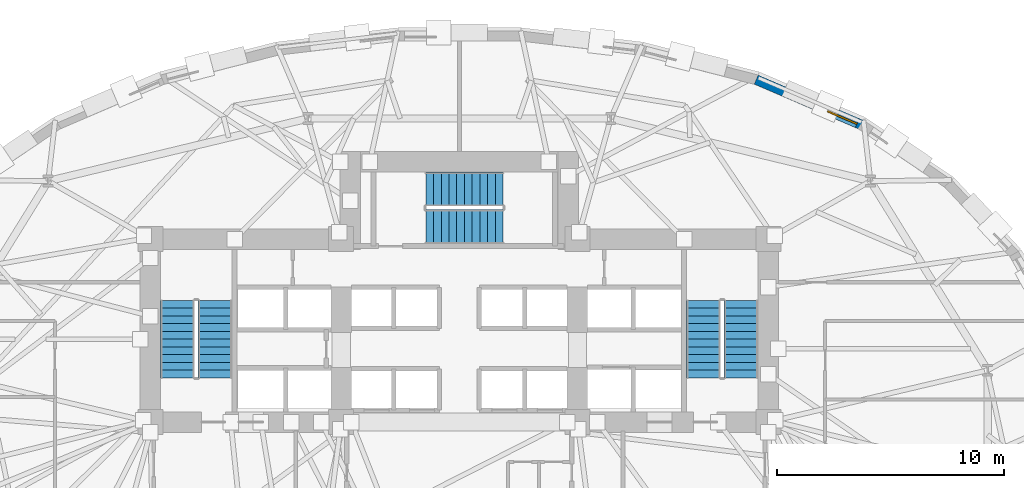
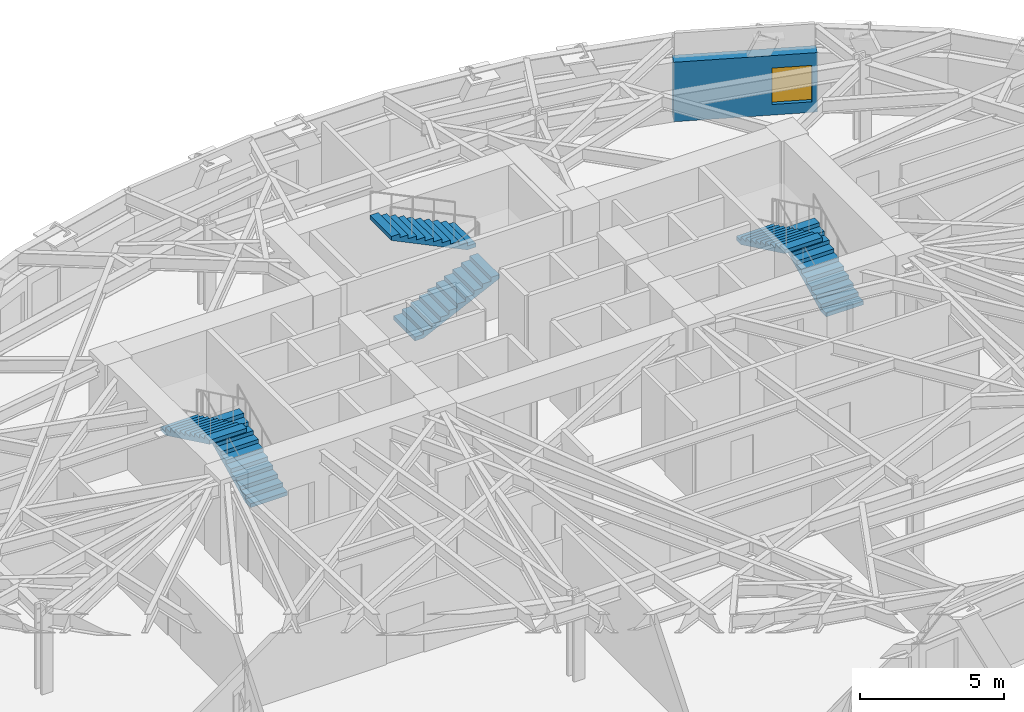
# One storey, part 10 of 14: 6 stair flights, 1 wall, 1 window, 1 opening, 3 elements without a shape of their own.
"""IFC4 building model written with IfcOpenShell, lengths in metres."""

from ifc_helpers import new_model, si_unit, direction, frame, frame_2d, origin, place, context, subcontext, project, spatial, polyline, rectangle, outline, extrude, material, layer, layer_set, type_object, element, fill, aggregate, save


model = new_model("IFC4")

# Units and contexts
model_context = context("Model", 3, precision=1e-05, world=origin(), true_north=direction((0.0, 1.0)))
body_context = subcontext(model_context, "Body", "Model", "MODEL_VIEW")
ifc_project = project(units=[si_unit("LENGTHUNIT", "METRE"), si_unit("AREAUNIT", "SQUARE_METRE"), si_unit("VOLUMEUNIT", "CUBIC_METRE"), si_unit("PLANEANGLEUNIT", "RADIAN"), si_unit("MASSUNIT", "GRAM", prefix="KILO")], contexts=[model_context])

# Site, building, storey
site_placement = place(None, origin())
site = spatial("IfcSite", under=ifc_project, at=site_placement, CompositionType="ELEMENT")
building_placement = place(site_placement, origin())
building = spatial("IfcBuilding", under=site, at=building_placement, Name="Keldmark Tower", CompositionType="ELEMENT")
storey_placement = place(building_placement, frame((0.0, 0.0, 41.39990234375)))
storey = spatial("IfcBuildingStorey", under=building, at=storey_placement, Name="L10", CompositionType="ELEMENT", Elevation=41.39990234375)

# Wall, opening, window
ifc_material_1 = material(Name="Ironspot Manganese Brick and Kasota Buff Limestone Spandrel Assembly", Category="masonry")
ifc_layer = layer(ifc_material_1, 0.43994140625)
ifc_layer_set = layer_set([ifc_layer], Name="Ironspot Manganese Brick and Kasota Buff Limestone Spandrel Assembly")
wall_type = type_object("IfcWallType", Name="Tower Brick Pier and Spandrel Wall 440 mm", PredefinedType="STANDARD", material=ifc_layer_set)
wall_placement = place(storey_placement, frame((13.066650390625, 16.47265625, 0.0), z_axis=(0.0, 0.0, 1.0), x_axis=(0.918881850071, -0.394532819433, 0.0)))
wall = element("IfcWall", 1, at=wall_placement, inside=storey, type_object=wall_type, Name="L10 Exterior Brick and Spandrel Wall 05", PredefinedType="STANDARD", context=body_context, shape_type="SweptSolid", body=[
    extrude(rectangle(XDim=5.0419921875, YDim=0.43994140625, at=frame_2d((2.52099609375, 0.0))), origin(), (0.0, 0.0, 1.0), 2.529052734375),
])
opening_placement = place(wall_placement, frame((3.44189453125, 0.0, 0.449951171875)))
opening = element("IfcOpeningElement", 2, at=opening_placement, cuts=wall, Name="Opening W-08", PredefinedType="OPENING", context=body_context, shape_type="SweptSolid", body=[
    extrude(rectangle(XDim=1.39990234375, YDim=1.550048828125, at=frame_2d((0.699951171875, 0.77490234375))), frame((0.0, 0.22998046875, 0.0), z_axis=(0.0, -1.0, 0.0), x_axis=(1.0, 0.0, 0.0)), (0.0, 0.0, 1.0), 0.4599609375),
])
ifc_material_2 = material(Name="Thermally Broken Anodized Aluminum and Triple Low-E Argon Glazing", Category="aluminium")
window_type = type_object("IfcWindowType", Name="Residential Corner Punched Window 1400x1550", PartitioningType="SINGLE_PANEL", PredefinedType="WINDOW", material=ifc_material_2)
window_placement = place(opening_placement, origin())
window = element("IfcWindow", 3, at=window_placement, inside=storey, type_object=window_type, Name="L10 Deep-Set Window 05", OverallHeight=1.550048828125, OverallWidth=1.39990234375, PartitioningType="SINGLE_PANEL", PredefinedType="WINDOW", context=body_context, shape_type="SweptSolid", body=[
    extrude(rectangle(XDim=1.39990234375, YDim=1.550048828125, at=frame_2d((0.699951171875, 0.77490234375))), frame((0.0, -0.010009765625, 0.0), z_axis=(0.0, -1.0, 0.0), x_axis=(1.0, 0.0, 0.0)), (0.0, 0.0, 1.0), 0.06005859375),
])
fill(opening, window)

# Stair, stair flights
ifc_material_3 = material(Name="Concrete C40/50", Category="concrete")
stair_type = type_object("IfcStairType", Name="Precast Concrete Core Exit Stair", PredefinedType="HALF_TURN_STAIR", material=ifc_material_3)
stair_1_placement = place(storey_placement, origin())
stair_1 = element("IfcStair", 4, at=stair_1_placement, inside=storey, type_object=stair_type, Name="L10 Exit Stair ST1", PredefinedType="HALF_TURN_STAIR")
ifc_material_4 = material(Name="Concrete C40/50", Category="concrete")
stair_flight_type = type_object("IfcStairFlightType", Name="Precast Concrete Stair Flight 1500 mm", PredefinedType="STRAIGHT", material=ifc_material_4)
stair_flight_1_placement = place(storey_placement, frame((-10.75, 3.35009765625, 0.0), z_axis=(0.0, 0.0, 1.0), x_axis=(0.0, 1.0, 0.0)))
stair_flight_1 = element("IfcStairFlight", 5, at=stair_flight_1_placement, type_object=stair_flight_type, Name="ST1 flight 1", NumberOfRisers=11, NumberOfTreads=10, PredefinedType="STRAIGHT", RiserHeight=0.163636364, TreadLength=0.34, context=body_context, shape_type="SweptSolid", body=[
    extrude(outline(polyline([(0.0, 0.0), (0.0, 0.16357421875), (0.340087890625, 0.16357421875), (0.340087890625, 0.327392578125), (0.679931640625, 0.327392578125), (0.679931640625, 0.490966796875), (1.02001953125, 0.490966796875), (1.02001953125, 0.654541015625), (1.360107421875, 0.654541015625), (1.360107421875, 0.818115234375), (1.699951171875, 0.818115234375), (1.699951171875, 0.98193359375), (2.0400390625, 0.98193359375), (2.0400390625, 1.1455078125), (2.3798828125, 1.1455078125), (2.3798828125, 1.30908203125), (2.719970703125, 1.30908203125), (2.719970703125, 1.47265625), (3.06005859375, 1.47265625), (3.06005859375, 1.636474609375), (3.39990234375, 1.636474609375), (3.39990234375, 1.800048828125), (3.39990234375, 1.469970703125), (0.345703125, 0.0), (0.0, 0.0)])), frame((0.0, 0.75, 0.0), z_axis=(0.0, -1.0, 0.0), x_axis=(1.0, 0.0, 0.0)), (0.0, 0.0, 1.0), 1.5),
])
stair_flight_2_placement = place(storey_placement, frame((-12.39990234375, 6.75, 1.800048828125), z_axis=(0.0, 0.0, 1.0), x_axis=(0.0, -1.0, 0.0)))
stair_flight_2 = element("IfcStairFlight", 6, at=stair_flight_2_placement, type_object=stair_flight_type, Name="ST1 flight 2", NumberOfRisers=11, NumberOfTreads=10, PredefinedType="STRAIGHT", RiserHeight=0.163636364, TreadLength=0.34, context=body_context, shape_type="SweptSolid", body=[
    extrude(outline(polyline([(0.0, 0.0), (0.0, 0.16357421875), (0.340087890625, 0.16357421875), (0.340087890625, 0.327392578125), (0.679931640625, 0.327392578125), (0.679931640625, 0.490966796875), (1.02001953125, 0.490966796875), (1.02001953125, 0.654541015625), (1.360107421875, 0.654541015625), (1.360107421875, 0.818115234375), (1.699951171875, 0.818115234375), (1.699951171875, 0.98193359375), (2.0400390625, 0.98193359375), (2.0400390625, 1.1455078125), (2.3798828125, 1.1455078125), (2.3798828125, 1.30908203125), (2.719970703125, 1.30908203125), (2.719970703125, 1.47265625), (3.06005859375, 1.47265625), (3.06005859375, 1.636474609375), (3.39990234375, 1.636474609375), (3.39990234375, 1.800048828125), (3.39990234375, 1.469970703125), (0.345703125, 0.0), (0.0, 0.0)])), frame((0.0, 0.75, 0.0), z_axis=(0.0, -1.0, 0.0), x_axis=(1.0, 0.0, 0.0)), (0.0, 0.0, 1.0), 1.5),
])
aggregate(stair_1, [stair_flight_1, stair_flight_2])

stair_2_placement = place(storey_placement, origin())
stair_2 = element("IfcStair", 7, at=stair_2_placement, inside=storey, type_object=stair_type, Name="L10 Exit Stair ST2", PredefinedType="HALF_TURN_STAIR")
stair_flight_3_placement = place(storey_placement, frame((12.39990234375, 3.35009765625, 0.0), z_axis=(0.0, 0.0, 1.0), x_axis=(0.0, 1.0, 0.0)))
stair_flight_3 = element("IfcStairFlight", 8, at=stair_flight_3_placement, type_object=stair_flight_type, Name="ST2 flight 1", NumberOfRisers=11, NumberOfTreads=10, PredefinedType="STRAIGHT", RiserHeight=0.163636364, TreadLength=0.34, context=body_context, shape_type="SweptSolid", body=[
    extrude(outline(polyline([(0.0, 0.0), (0.0, 0.16357421875), (0.340087890625, 0.16357421875), (0.340087890625, 0.327392578125), (0.679931640625, 0.327392578125), (0.679931640625, 0.490966796875), (1.02001953125, 0.490966796875), (1.02001953125, 0.654541015625), (1.360107421875, 0.654541015625), (1.360107421875, 0.818115234375), (1.699951171875, 0.818115234375), (1.699951171875, 0.98193359375), (2.0400390625, 0.98193359375), (2.0400390625, 1.1455078125), (2.3798828125, 1.1455078125), (2.3798828125, 1.30908203125), (2.719970703125, 1.30908203125), (2.719970703125, 1.47265625), (3.06005859375, 1.47265625), (3.06005859375, 1.636474609375), (3.39990234375, 1.636474609375), (3.39990234375, 1.800048828125), (3.39990234375, 1.469970703125), (0.345703125, 0.0), (0.0, 0.0)])), frame((0.0, 0.75, 0.0), z_axis=(0.0, -1.0, 0.0), x_axis=(1.0, 0.0, 0.0)), (0.0, 0.0, 1.0), 1.5),
])
stair_flight_4_placement = place(storey_placement, frame((10.75, 6.75, 1.800048828125), z_axis=(0.0, 0.0, 1.0), x_axis=(0.0, -1.0, 0.0)))
stair_flight_4 = element("IfcStairFlight", 9, at=stair_flight_4_placement, type_object=stair_flight_type, Name="ST2 flight 2", NumberOfRisers=11, NumberOfTreads=10, PredefinedType="STRAIGHT", RiserHeight=0.163636364, TreadLength=0.34, context=body_context, shape_type="SweptSolid", body=[
    extrude(outline(polyline([(0.0, 0.0), (0.0, 0.16357421875), (0.340087890625, 0.16357421875), (0.340087890625, 0.327392578125), (0.679931640625, 0.327392578125), (0.679931640625, 0.490966796875), (1.02001953125, 0.490966796875), (1.02001953125, 0.654541015625), (1.360107421875, 0.654541015625), (1.360107421875, 0.818115234375), (1.699951171875, 0.818115234375), (1.699951171875, 0.98193359375), (2.0400390625, 0.98193359375), (2.0400390625, 1.1455078125), (2.3798828125, 1.1455078125), (2.3798828125, 1.30908203125), (2.719970703125, 1.30908203125), (2.719970703125, 1.47265625), (3.06005859375, 1.47265625), (3.06005859375, 1.636474609375), (3.39990234375, 1.636474609375), (3.39990234375, 1.800048828125), (3.39990234375, 1.469970703125), (0.345703125, 0.0), (0.0, 0.0)])), frame((0.0, 0.75, 0.0), z_axis=(0.0, -1.0, 0.0), x_axis=(1.0, 0.0, 0.0)), (0.0, 0.0, 1.0), 1.5),
])
aggregate(stair_2, [stair_flight_3, stair_flight_4])

stair_3_placement = place(storey_placement, origin())
stair_3 = element("IfcStair", 10, at=stair_3_placement, inside=storey, type_object=stair_type, Name="L10 Exit Stair ST3", PredefinedType="HALF_TURN_STAIR")
stair_flight_5_placement = place(storey_placement, frame((-1.47509765625, 10.0, 0.0), z_axis=(0.0, 0.0, 1.0), x_axis=(1.0, 0.0, 0.0)))
stair_flight_5 = element("IfcStairFlight", 11, at=stair_flight_5_placement, type_object=stair_flight_type, Name="ST3 flight 1", NumberOfRisers=11, NumberOfTreads=10, PredefinedType="STRAIGHT", RiserHeight=0.163636364, TreadLength=0.34, context=body_context, shape_type="SweptSolid", body=[
    extrude(outline(polyline([(0.0, 0.0), (0.0, 0.16357421875), (0.340087890625, 0.16357421875), (0.340087890625, 0.327392578125), (0.679931640625, 0.327392578125), (0.679931640625, 0.490966796875), (1.02001953125, 0.490966796875), (1.02001953125, 0.654541015625), (1.360107421875, 0.654541015625), (1.360107421875, 0.818115234375), (1.699951171875, 0.818115234375), (1.699951171875, 0.98193359375), (2.0400390625, 0.98193359375), (2.0400390625, 1.1455078125), (2.3798828125, 1.1455078125), (2.3798828125, 1.30908203125), (2.719970703125, 1.30908203125), (2.719970703125, 1.47265625), (3.06005859375, 1.47265625), (3.06005859375, 1.636474609375), (3.39990234375, 1.636474609375), (3.39990234375, 1.800048828125), (3.39990234375, 1.469970703125), (0.345703125, 0.0), (0.0, 0.0)])), frame((0.0, 0.75, 0.0), z_axis=(0.0, -1.0, 0.0), x_axis=(1.0, 0.0, 0.0)), (0.0, 0.0, 1.0), 1.5),
])
stair_flight_6_placement = place(storey_placement, frame((1.925048828125, 11.64990234375, 1.800048828125), z_axis=(0.0, 0.0, 1.0), x_axis=(-1.0, 0.0, 0.0)))
stair_flight_6 = element("IfcStairFlight", 12, at=stair_flight_6_placement, type_object=stair_flight_type, Name="ST3 flight 2", NumberOfRisers=11, NumberOfTreads=10, PredefinedType="STRAIGHT", RiserHeight=0.163636364, TreadLength=0.34, context=body_context, shape_type="SweptSolid", body=[
    extrude(outline(polyline([(0.0, 0.0), (0.0, 0.16357421875), (0.340087890625, 0.16357421875), (0.340087890625, 0.327392578125), (0.679931640625, 0.327392578125), (0.679931640625, 0.490966796875), (1.02001953125, 0.490966796875), (1.02001953125, 0.654541015625), (1.360107421875, 0.654541015625), (1.360107421875, 0.818115234375), (1.699951171875, 0.818115234375), (1.699951171875, 0.98193359375), (2.0400390625, 0.98193359375), (2.0400390625, 1.1455078125), (2.3798828125, 1.1455078125), (2.3798828125, 1.30908203125), (2.719970703125, 1.30908203125), (2.719970703125, 1.47265625), (3.06005859375, 1.47265625), (3.06005859375, 1.636474609375), (3.39990234375, 1.636474609375), (3.39990234375, 1.800048828125), (3.39990234375, 1.469970703125), (0.345703125, 0.0), (0.0, 0.0)])), frame((0.0, 0.75, 0.0), z_axis=(0.0, -1.0, 0.0), x_axis=(1.0, 0.0, 0.0)), (0.0, 0.0, 1.0), 1.5),
])
aggregate(stair_3, [stair_flight_5, stair_flight_6])

save(model, "model.ifc")
